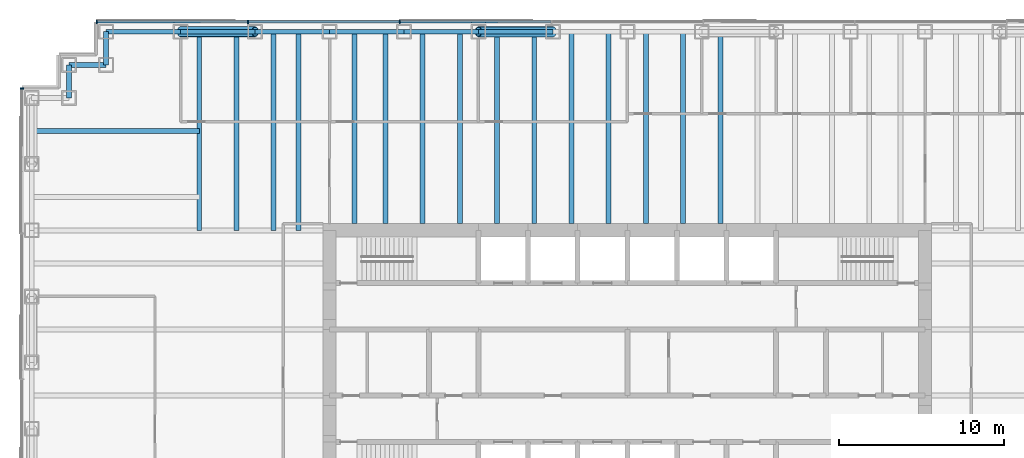
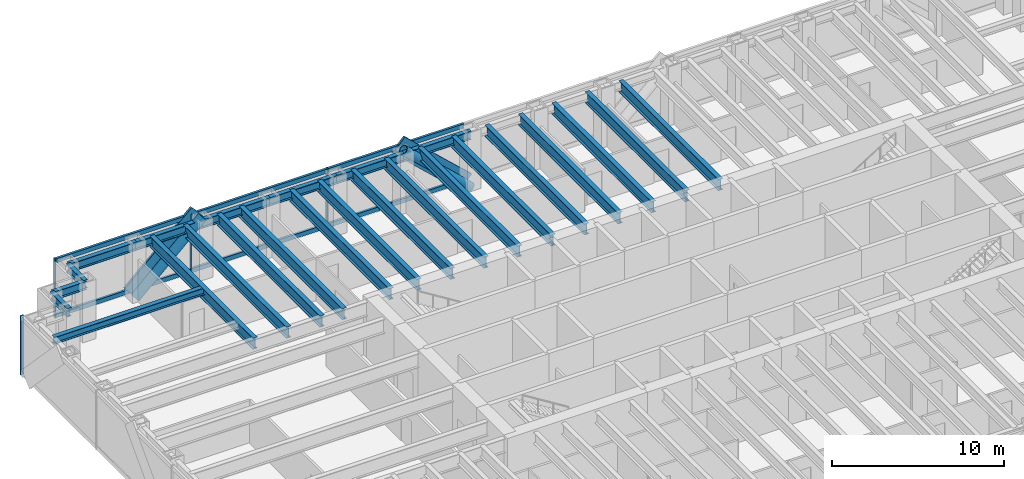
# One storey, part 6 of 16: 25 beams, 14 members, 2 elements without a shape of their own.
"""IFC4 building model written with IfcOpenShell, lengths in metres."""

from ifc_helpers import new_model, si_unit, direction, frame, origin, origin_2d, place, context, subcontext, project, spatial, rectangle, hollow_circle, i_section, extrude, material, material_profile, profile_set, type_object, element, aggregate, save


model = new_model("IFC4")

# Units and contexts
model_context = context("Model", 3, precision=1e-05, world=origin(), true_north=direction((0.0, 1.0)))
body_context = subcontext(model_context, "Body", "Model", "MODEL_VIEW")
ifc_project = project(units=[si_unit("LENGTHUNIT", "METRE"), si_unit("AREAUNIT", "SQUARE_METRE"), si_unit("VOLUMEUNIT", "CUBIC_METRE"), si_unit("PLANEANGLEUNIT", "RADIAN"), si_unit("MASSUNIT", "GRAM", prefix="KILO")], contexts=[model_context])

# Site, building, storey
site_placement = place(None, origin())
site = spatial("IfcSite", under=ifc_project, at=site_placement, CompositionType="ELEMENT")
building_placement = place(site_placement, origin())
building = spatial("IfcBuilding", under=site, at=building_placement, Name="Rheinbord Bourse Tower", CompositionType="ELEMENT")
storey_placement = place(building_placement, frame((0.0, 0.0, 219.39990234375)))
storey = spatial("IfcBuildingStorey", under=building, at=storey_placement, Name="L49", CompositionType="ELEMENT", Elevation=219.39990234375)

# Curtain wall, members
ifc_material_1 = material(Name="Dark glass and black aluminium", Category="aluminium")
curtain_wall_type = type_object("IfcCurtainWallType", Name="CW2 DARK GLASS CURTAIN WALL", PredefinedType="USERDEFINED", material=ifc_material_1)
curtain_wall_1_placement = place(storey_placement, origin())
curtain_wall_1 = element("IfcCurtainWall", 1, at=curtain_wall_1_placement, inside=storey, type_object=curtain_wall_type, Name="Curtain wall CW2 N L49", ObjectType="UNITISED CURTAIN WALL", PredefinedType="USERDEFINED")
ifc_material_2 = material(Name="Black anodised aluminium", Category="aluminium")
ifc_material_profile_1 = material_profile(ifc_material_2, rectangle(XDim=0.159912109375, YDim=1.2099609375, at=origin_2d()), Name="CW2 DIAGONAL MULLION 1210x160")
ifc_profile_set_1 = profile_set([ifc_material_profile_1], Name="Black anodised aluminium")
member_type_1 = type_object("IfcMemberType", Name="CW2 BLACK DIAGONAL MULLION", PredefinedType="USERDEFINED", material=ifc_profile_set_1)
member_1_placement = place(storey_placement, frame((31.5, 44.60009765625, 0.0), z_axis=(-0.731039441158, 0.0, 0.682335207557), x_axis=(0.0, -1.0, 0.0)))
member_1 = element("IfcMember", 2, at=member_1_placement, type_object=member_type_1, Name="CW2 diagonal mullion a", ObjectType="DIAGONAL MULLION", PredefinedType="USERDEFINED", context=body_context, shape_type="SweptSolid", body=[
    extrude(rectangle(XDim=0.159912109375, YDim=1.2099609375, at=origin_2d()), origin(), (0.0, 0.0, 1.0), 6.155517578125),
])
member_2_placement = place(storey_placement, frame((9.0, 44.60009765625, 0.0), z_axis=(0.731039441158, 0.0, 0.682335207557), x_axis=(0.0, 1.0, 0.0)))
member_2 = element("IfcMember", 3, at=member_2_placement, type_object=member_type_1, Name="CW2 diagonal mullion c", ObjectType="DIAGONAL MULLION", PredefinedType="USERDEFINED", context=body_context, shape_type="SweptSolid", body=[
    extrude(rectangle(XDim=0.159912109375, YDim=1.2099609375, at=origin_2d()), origin(), (0.0, 0.0, 1.0), 6.155517578125),
])
ifc_material_3 = material(Name="Black anodised aluminium", Category="aluminium")
ifc_material_profile_2 = material_profile(ifc_material_3, rectangle(XDim=0.219970703125, YDim=0.070068359375, at=origin_2d()), Name="CW2 MULLION 70x220")
ifc_profile_set_2 = profile_set([ifc_material_profile_2], Name="Black anodised aluminium")
member_type_2 = type_object("IfcMemberType", Name="CW2 BLACK MULLION", PredefinedType="MULLION", material=ifc_profile_set_2)
member_3_placement = place(storey_placement, frame((22.242919921875, 44.60009765625, 0.0), z_axis=(0.0, 0.0, 1.0), x_axis=(0.0, -1.0, 0.0)))
member_3 = element("IfcMember", 4, at=member_3_placement, type_object=member_type_2, Name="CW2 mullion 6", PredefinedType="MULLION", context=body_context, shape_type="SweptSolid", body=[
    extrude(rectangle(XDim=0.219970703125, YDim=0.070068359375, at=origin_2d()), origin(), (0.0, 0.0, 1.0), 4.2001953125),
])
member_4_placement = place(storey_placement, frame((13.071533203125, 44.60009765625, 0.0), z_axis=(0.0, 0.0, 1.0), x_axis=(0.0, -1.0, 0.0)))
member_4 = element("IfcMember", 5, at=member_4_placement, type_object=member_type_2, Name="CW2 mullion 7", PredefinedType="MULLION", context=body_context, shape_type="SweptSolid", body=[
    extrude(rectangle(XDim=0.219970703125, YDim=0.070068359375, at=origin_2d()), origin(), (0.0, 0.0, 1.0), 4.2001953125),
])
member_5_placement = place(storey_placement, frame((3.93505859375, 44.60009765625, 0.0), z_axis=(0.0, 0.0, 1.0), x_axis=(0.0, -1.0, 0.0)))
member_5 = element("IfcMember", 6, at=member_5_placement, type_object=member_type_2, Name="CW2 mullion 8", PredefinedType="MULLION", context=body_context, shape_type="SweptSolid", body=[
    extrude(rectangle(XDim=0.219970703125, YDim=0.070068359375, at=origin_2d()), origin(), (0.0, 0.0, 1.0), 4.2001953125),
])

# Curtain wall, member
curtain_wall_2_placement = place(storey_placement, origin())
curtain_wall_2 = element("IfcCurtainWall", 7, at=curtain_wall_2_placement, inside=storey, type_object=curtain_wall_type, Name="Curtain wall CW2 W L49", ObjectType="UNITISED CURTAIN WALL", PredefinedType="USERDEFINED")
member_6_placement = place(storey_placement, frame((-0.60009765625, 40.56494140625, 0.0), z_axis=(0.0, 0.0, 1.0), x_axis=(1.0, 0.0, 0.0)))
member_6 = element("IfcMember", 8, at=member_6_placement, type_object=member_type_2, Name="CW2 mullion 1", PredefinedType="MULLION", context=body_context, shape_type="SweptSolid", body=[
    extrude(rectangle(XDim=0.219970703125, YDim=0.070068359375, at=origin_2d()), origin(), (0.0, 0.0, 1.0), 4.2001953125),
])
aggregate(curtain_wall_2, [member_6])

# Member
ifc_material_4 = material(Name="Black anodised aluminium", Category="aluminium")
ifc_material_profile_3 = material_profile(ifc_material_4, rectangle(XDim=0.159912109375, YDim=0.300048828125, at=origin_2d()), Name="CW2 TRANSOM 300x160")
ifc_profile_set_3 = profile_set([ifc_material_profile_3], Name="Black anodised aluminium")
member_type_3 = type_object("IfcMemberType", Name="CW2 BLACK TRANSOM", PredefinedType="USERDEFINED", material=ifc_profile_set_3)
member_7_placement = place(storey_placement, frame((31.37939453125, 44.60009765625, 0.150146484375), z_axis=(-1.0, 0.0, 0.0), x_axis=(0.0, -1.0, 0.0)))
member_7 = element("IfcMember", 9, at=member_7_placement, type_object=member_type_3, Name="CW2 transom 5.1", ObjectType="TRANSOM", PredefinedType="USERDEFINED", context=body_context, shape_type="SweptSolid", body=[
    extrude(rectangle(XDim=0.159912109375, YDim=0.300048828125, at=origin_2d()), origin(), (0.0, 0.0, 1.0), 9.1015625),
])

member_8_placement = place(storey_placement, frame((31.37939453125, 44.60009765625, 4.050048828125), z_axis=(-1.0, 0.0, 0.0), x_axis=(0.0, -1.0, 0.0)))
member_8 = element("IfcMember", 10, at=member_8_placement, type_object=member_type_3, Name="CW2 transom 5.2", ObjectType="TRANSOM", PredefinedType="USERDEFINED", context=body_context, shape_type="SweptSolid", body=[
    extrude(rectangle(XDim=0.159912109375, YDim=0.300048828125, at=origin_2d()), origin(), (0.0, 0.0, 1.0), 9.1015625),
])

member_9_placement = place(storey_placement, frame((22.207763671875, 44.60009765625, 0.150146484375), z_axis=(-1.0, 0.0, 0.0), x_axis=(0.0, -1.0, 0.0)))
member_9 = element("IfcMember", 11, at=member_9_placement, type_object=member_type_3, Name="CW2 transom 6.1", ObjectType="TRANSOM", PredefinedType="USERDEFINED", context=body_context, shape_type="SweptSolid", body=[
    extrude(rectangle(XDim=0.159912109375, YDim=0.300048828125, at=origin_2d()), origin(), (0.0, 0.0, 1.0), 9.101318359375),
])

member_10_placement = place(storey_placement, frame((22.207763671875, 44.60009765625, 4.050048828125), z_axis=(-1.0, 0.0, 0.0), x_axis=(0.0, -1.0, 0.0)))
member_10 = element("IfcMember", 12, at=member_10_placement, type_object=member_type_3, Name="CW2 transom 6.2", ObjectType="TRANSOM", PredefinedType="USERDEFINED", context=body_context, shape_type="SweptSolid", body=[
    extrude(rectangle(XDim=0.159912109375, YDim=0.300048828125, at=origin_2d()), origin(), (0.0, 0.0, 1.0), 9.101318359375),
])

member_11_placement = place(storey_placement, frame((13.036376953125, 44.60009765625, 0.150146484375), z_axis=(-1.0, 0.0, 0.0), x_axis=(0.0, -1.0, 0.0)))
member_11 = element("IfcMember", 13, at=member_11_placement, type_object=member_type_3, Name="CW2 transom 7.1", ObjectType="TRANSOM", PredefinedType="USERDEFINED", context=body_context, shape_type="SweptSolid", body=[
    extrude(rectangle(XDim=0.159912109375, YDim=0.300048828125, at=origin_2d()), origin(), (0.0, 0.0, 1.0), 9.06640625),
])

member_12_placement = place(storey_placement, frame((13.036376953125, 44.60009765625, 4.050048828125), z_axis=(-1.0, 0.0, 0.0), x_axis=(0.0, -1.0, 0.0)))
member_12 = element("IfcMember", 14, at=member_12_placement, type_object=member_type_3, Name="CW2 transom 7.2", ObjectType="TRANSOM", PredefinedType="USERDEFINED", context=body_context, shape_type="SweptSolid", body=[
    extrude(rectangle(XDim=0.159912109375, YDim=0.300048828125, at=origin_2d()), origin(), (0.0, 0.0, 1.0), 9.06640625),
])

aggregate(curtain_wall_1, [member_3, member_4, member_5, member_7, member_8, member_9, member_10, member_11, member_12, member_1, member_2])

# Beams
ifc_material_5 = material(Name="Steel S460", Category="steel")
ifc_material_profile_4 = material_profile(ifc_material_5, i_section(OverallWidth=0.300048828125, OverallDepth=0.800048828125, WebThickness=0.017578125, FlangeThickness=0.032958984375, at=origin_2d()), Name="HEB 800")
ifc_profile_set_4 = profile_set([ifc_material_profile_4], Name="Steel S460")
beam_type_1 = type_object("IfcBeamType", Name="FLOOR BEAM HEB 800", PredefinedType="BEAM", material=ifc_profile_set_4)
for number, where, z_axis, x_axis, name in (
    (15, (10.125, 44.0, 3.64013671875), (0.0, -1.0, 0.0), (1.0, 0.0, 0.0), "Floor beam N-9a L50"),
    (16, (12.375, 44.0, 3.64013671875), (0.0, -1.0, 0.0), (1.0, 0.0, 0.0), "Floor beam N-9b L50"),
    (17, (14.625, 44.0, 3.64013671875), (0.0, -1.0, 0.0), (1.0, 0.0, 0.0), "Floor beam N-13.5a L50"),
    (18, (16.125, 44.0, 3.64013671875), (0.0, -1.0, 0.0), (1.0, 0.0, 0.0), "Floor beam N-13.5b L50"),
):
    element("IfcBeam", number, at=place(storey_placement, frame(where, z_axis=z_axis, x_axis=x_axis)), inside=storey, type_object=beam_type_1, Name=name, PredefinedType="BEAM", context=body_context, shape_type="SweptSolid", body=[
        extrude(i_section(OverallWidth=0.300048828125, OverallDepth=0.800048828125, WebThickness=0.017578125, FlangeThickness=0.032958984375, at=origin_2d()), origin(), (0.0, 0.0, 1.0), 12.0),
    ])
for number, where, z_axis, x_axis, name in (
    (19, (19.5, 44.0, 3.64013671875), (0.0, -1.0, 0.0), (1.0, 0.0, 0.0), "Floor beam N-18a L50"),
    (20, (21.375, 44.0, 3.64013671875), (0.0, -1.0, 0.0), (1.0, 0.0, 0.0), "Floor beam N-18b L50"),
    (21, (23.625, 44.0, 3.64013671875), (0.0, -1.0, 0.0), (1.0, 0.0, 0.0), "Floor beam N-22.5a L50"),
    (22, (25.875, 44.0, 3.64013671875), (0.0, -1.0, 0.0), (1.0, 0.0, 0.0), "Floor beam N-22.5b L50"),
    (23, (28.125, 44.0, 3.64013671875), (0.0, -1.0, 0.0), (1.0, 0.0, 0.0), "Floor beam N-27a L50"),
    (24, (30.375, 44.0, 3.64013671875), (0.0, -1.0, 0.0), (1.0, 0.0, 0.0), "Floor beam N-27b L50"),
    (25, (32.625, 44.0, 3.64013671875), (0.0, -1.0, 0.0), (1.0, 0.0, 0.0), "Floor beam N-31.5a L50"),
    (26, (34.875, 44.0, 3.64013671875), (0.0, -1.0, 0.0), (1.0, 0.0, 0.0), "Floor beam N-31.5b L50"),
    (27, (37.125, 44.0, 3.64013671875), (0.0, -1.0, 0.0), (1.0, 0.0, 0.0), "Floor beam N-36a L50"),
    (28, (39.375, 44.0, 3.64013671875), (0.0, -1.0, 0.0), (1.0, 0.0, 0.0), "Floor beam N-36b L50"),
    (29, (41.625, 44.0, 3.64013671875), (0.0, -1.0, 0.0), (1.0, 0.0, 0.0), "Floor beam N-40.5a L50"),
):
    element("IfcBeam", number, at=place(storey_placement, frame(where, z_axis=z_axis, x_axis=x_axis)), inside=storey, type_object=beam_type_1, Name=name, PredefinedType="BEAM", context=body_context, shape_type="SweptSolid", body=[
        extrude(i_section(OverallWidth=0.300048828125, OverallDepth=0.800048828125, WebThickness=0.017578125, FlangeThickness=0.032958984375, at=origin_2d()), origin(), (0.0, 0.0, 1.0), 11.60009765625),
    ])

# Members
ifc_material_6 = material(Name="Steel S460", Category="steel")
ifc_material_profile_5 = material_profile(ifc_material_6, hollow_circle(Radius=0.304931640625, WallThickness=0.0400390625, at=origin_2d()), Name="CHS 610x40")
ifc_profile_set_5 = profile_set([ifc_material_profile_5], Name="Steel S460")
member_type_4 = type_object("IfcMemberType", Name="MEGABRACE CHS 610x40", PredefinedType="BRACE", material=ifc_profile_set_5)
for number, where, z_axis, x_axis, name in (
    (30, (31.5, 44.0, 0.0), (-0.731039441158, 0.0, 0.682335207557), (0.0, -1.0, 0.0), "Megabrace N face line a L49"),
    (31, (9.0, 44.0, 0.0), (0.731039441158, 0.0, 0.682335207557), (0.0, 1.0, 0.0), "Megabrace N face line c L49"),
):
    element("IfcMember", number, at=place(storey_placement, frame(where, z_axis=z_axis, x_axis=x_axis)), inside=storey, type_object=member_type_4, Name=name, PredefinedType="BRACE", context=body_context, shape_type="SweptSolid", body=[
        extrude(hollow_circle(Radius=0.304931640625, WallThickness=0.0400390625, at=origin_2d()), origin(), (0.0, 0.0, 1.0), 6.155517578125),
    ])

# Beams
ifc_material_7 = material(Name="Steel S460", Category="steel")
ifc_material_profile_6 = material_profile(ifc_material_7, i_section(OverallWidth=0.300048828125, OverallDepth=0.60009765625, WebThickness=0.015380859375, FlangeThickness=0.030029296875, at=origin_2d()), Name="HEB 600")
ifc_profile_set_6 = profile_set([ifc_material_profile_6], Name="Steel S460")
beam_type_2 = type_object("IfcBeamType", Name="SPANDREL HEB 600", PredefinedType="SPANDREL", material=ifc_profile_set_6)
for number, where, z_axis, x_axis, name in (
    (32, (31.5, 44.0, 3.739990234375), (-1.0, 0.0, 0.0), (0.0, -1.0, 0.0), "Spandrel N-31.5-N-27 under L50"),
    (33, (27.0, 44.0, 3.739990234375), (-1.0, 0.0, 0.0), (0.0, -1.0, 0.0), "Spandrel N-27-N-22.5 under L50"),
    (34, (22.5, 44.0, 3.739990234375), (-1.0, 0.0, 0.0), (0.0, -1.0, 0.0), "Spandrel N-22.5-N-18 under L50"),
    (35, (18.0, 44.0, 3.739990234375), (-1.0, 0.0, 0.0), (0.0, -1.0, 0.0), "Spandrel N-18-N-13.5 under L50"),
    (36, (13.5, 44.0, 3.739990234375), (-1.0, 0.0, 0.0), (0.0, -1.0, 0.0), "Spandrel N-13.5-N-9 under L50"),
    (37, (9.0, 44.0, 3.739990234375), (-1.0, 0.0, 0.0), (0.0, -1.0, 0.0), "Spandrel N-9-NW-E under L50"),
):
    element("IfcBeam", number, at=place(storey_placement, frame(where, z_axis=z_axis, x_axis=x_axis)), inside=storey, type_object=beam_type_2, Name=name, PredefinedType="SPANDREL", context=body_context, shape_type="SweptSolid", body=[
        extrude(i_section(OverallWidth=0.300048828125, OverallDepth=0.60009765625, WebThickness=0.015380859375, FlangeThickness=0.030029296875, at=origin_2d()), origin(), (0.0, 0.0, 1.0), 4.5),
    ])
beam_1_placement = place(storey_placement, frame((4.5, 44.0, 3.739990234375), z_axis=(0.0, -1.0, 0.0), x_axis=(1.0, 0.0, 0.0)))
element("IfcBeam", 38, at=beam_1_placement, inside=storey, type_object=beam_type_2, Name="Spandrel NW-E-NW-D under L50", PredefinedType="SPANDREL", context=body_context, shape_type="SweptSolid", body=[
    extrude(i_section(OverallWidth=0.300048828125, OverallDepth=0.60009765625, WebThickness=0.015380859375, FlangeThickness=0.030029296875, at=origin_2d()), origin(), (0.0, 0.0, 1.0), 2.0),
])
beam_2_placement = place(storey_placement, frame((4.5, 42.0, 3.739990234375), z_axis=(-1.0, 0.0, 0.0), x_axis=(0.0, -1.0, 0.0)))
element("IfcBeam", 39, at=beam_2_placement, inside=storey, type_object=beam_type_2, Name="Spandrel NW-D-NW-C under L50", PredefinedType="SPANDREL", context=body_context, shape_type="SweptSolid", body=[
    extrude(i_section(OverallWidth=0.300048828125, OverallDepth=0.60009765625, WebThickness=0.015380859375, FlangeThickness=0.030029296875, at=origin_2d()), origin(), (0.0, 0.0, 1.0), 2.25),
])
beam_3_placement = place(storey_placement, frame((2.25, 42.0, 3.739990234375), z_axis=(0.0, -1.0, 0.0), x_axis=(1.0, 0.0, 0.0)))
element("IfcBeam", 40, at=beam_3_placement, inside=storey, type_object=beam_type_2, Name="Spandrel NW-C-NW-B under L50", PredefinedType="SPANDREL", context=body_context, shape_type="SweptSolid", body=[
    extrude(i_section(OverallWidth=0.300048828125, OverallDepth=0.60009765625, WebThickness=0.015380859375, FlangeThickness=0.030029296875, at=origin_2d()), origin(), (0.0, 0.0, 1.0), 2.0),
])
ifc_material_8 = material(Name="Steel S460", Category="steel")
ifc_material_profile_7 = material_profile(ifc_material_8, i_section(OverallWidth=0.300048828125, OverallDepth=0.5, WebThickness=0.014404296875, FlangeThickness=0.028076171875, at=origin_2d()), Name="HEB 500")
ifc_profile_set_7 = profile_set([ifc_material_profile_7], Name="Steel S460")
beam_type_3 = type_object("IfcBeamType", Name="TIE BEAM HEB 500", PredefinedType="JOIST", material=ifc_profile_set_7)
beam_4_placement = place(storey_placement, frame((0.0, 38.0, 3.7900390625), z_axis=(1.0, 0.0, 0.0), x_axis=(0.0, 1.0, 0.0)))
element("IfcBeam", 41, at=beam_4_placement, inside=storey, type_object=beam_type_3, Name="Tie west 38 L50", PredefinedType="JOIST", context=body_context, shape_type="SweptSolid", body=[
    extrude(i_section(OverallWidth=0.300048828125, OverallDepth=0.5, WebThickness=0.014404296875, FlangeThickness=0.028076171875, at=origin_2d()), origin(), (0.0, 0.0, 1.0), 10.125),
])

save(model, "model.ifc")
